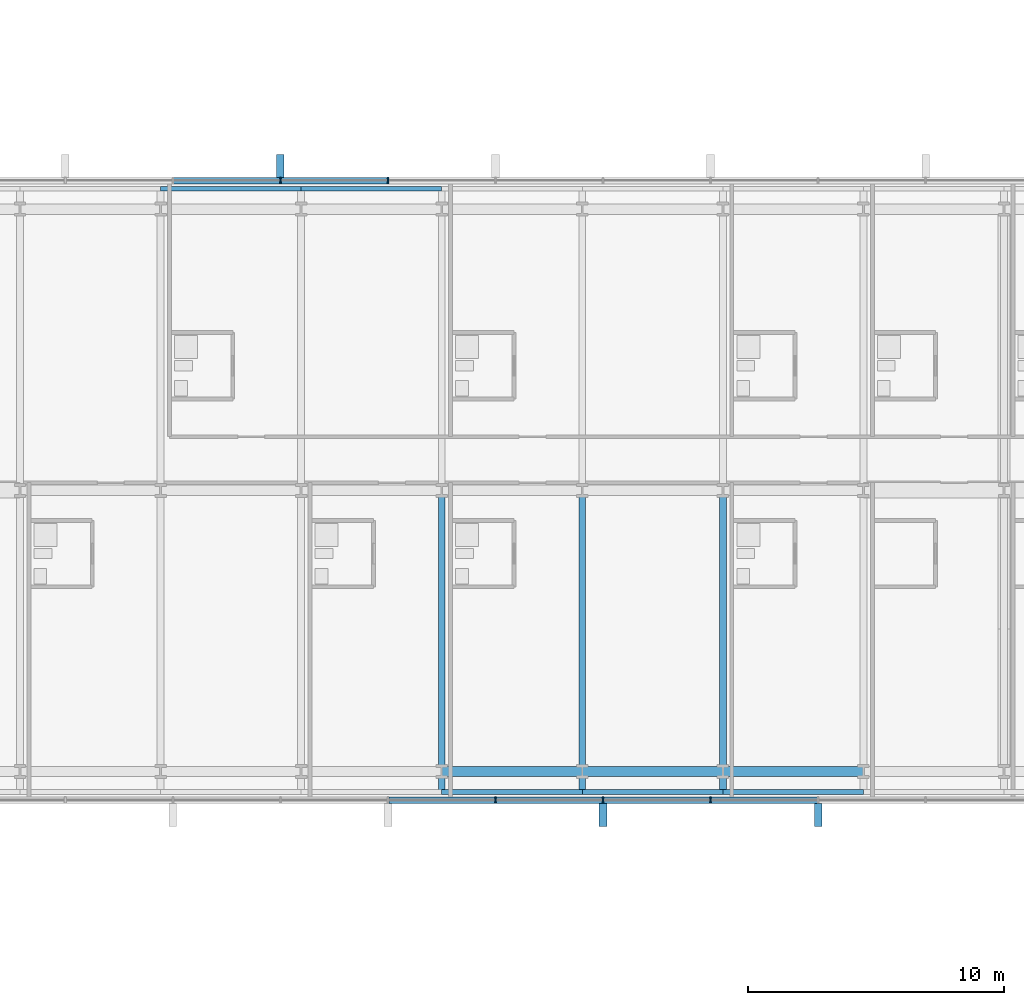
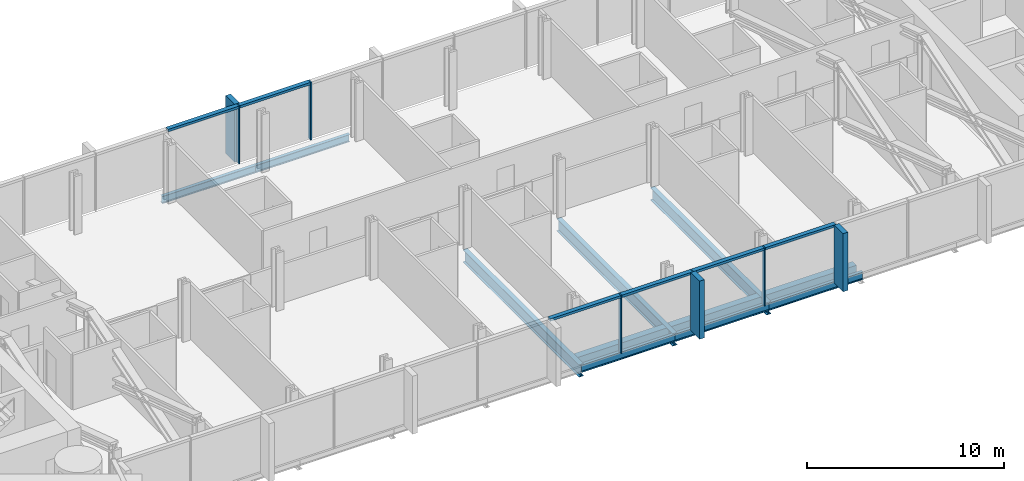
# One storey, part 7 of 24: 14 members, 11 beams, 2 elements without a shape of their own.
"""IFC4 building model written with IfcOpenShell, lengths in metres."""

from ifc_helpers import new_model, si_unit, direction, frame, origin, origin_2d, place, context, subcontext, project, spatial, rectangle, hollow_rectangle, i_section, extrude, material, material_profile, profile_set, type_object, element, aggregate, save


model = new_model("IFC4")

# Units and contexts
model_context = context("Model", 3, precision=1e-05, world=origin(), true_north=direction((0.0, 1.0)))
body_context = subcontext(model_context, "Body", "Model", "MODEL_VIEW")
ifc_project = project(units=[si_unit("LENGTHUNIT", "METRE"), si_unit("AREAUNIT", "SQUARE_METRE"), si_unit("VOLUMEUNIT", "CUBIC_METRE"), si_unit("PLANEANGLEUNIT", "RADIAN"), si_unit("MASSUNIT", "GRAM", prefix="KILO")], contexts=[model_context])

# Site, building, storey
site_placement = place(None, origin())
site = spatial("IfcSite", under=ifc_project, at=site_placement, CompositionType="ELEMENT")
building_placement = place(site_placement, origin())
building = spatial("IfcBuilding", under=site, at=building_placement, Name="Lancet Gate Hotel", CompositionType="ELEMENT")
storey_placement = place(building_placement, frame((0.0, 0.0, 244.10009765625)))
storey = spatial("IfcBuildingStorey", under=building, at=storey_placement, Name="L65", CompositionType="ELEMENT", Elevation=244.10009765625)

# Curtain wall, members
ifc_material_1 = material(Name="Aluminium curtain wall", Category="aluminium")
curtain_wall_type = type_object("IfcCurtainWallType", Name="Bridge block curtain wall", PredefinedType="USERDEFINED", material=ifc_material_1)
curtain_wall_1_placement = place(storey_placement, origin())
curtain_wall_1 = element("IfcCurtainWall", 1, at=curtain_wall_1_placement, inside=storey, type_object=curtain_wall_type, Name="Bridge block L65 curtain wall S", ObjectType="UNITISED CURTAIN WALL", PredefinedType="USERDEFINED")
ifc_material_2 = material(Name="Aluminium mullion", Category="aluminium")
ifc_material_profile_1 = material_profile(ifc_material_2, rectangle(XDim=0.06494140625, YDim=0.25, at=origin_2d()), Name="MULLION 65x250")
ifc_profile_set_1 = profile_set([ifc_material_profile_1], Name="Aluminium mullion")
member_type_1 = type_object("IfcMemberType", Name="Aluminium mullion 65x250", PredefinedType="MULLION", material=ifc_profile_set_1)
member_1_placement = place(storey_placement, frame((2.103759765625, -12.1201171875, 0.0), z_axis=(0.0, 0.0, 1.0), x_axis=(1.0, 0.0, 0.0)))
member_1 = element("IfcMember", 2, at=member_1_placement, type_object=member_type_1, Name="Bridge block L65 curtain wall S mullion 8", PredefinedType="MULLION", context=body_context, shape_type="SweptSolid", body=[
    extrude(rectangle(XDim=0.06494140625, YDim=0.25, at=origin_2d()), origin(), (0.0, 0.0, 1.0), 3.599853515625),
])
member_2_placement = place(storey_placement, frame((6.3115234375, -12.1201171875, 0.0), z_axis=(0.0, 0.0, 1.0), x_axis=(1.0, 0.0, 0.0)))
member_2 = element("IfcMember", 3, at=member_2_placement, type_object=member_type_1, Name="Bridge block L65 curtain wall S mullion 9", PredefinedType="MULLION", context=body_context, shape_type="SweptSolid", body=[
    extrude(rectangle(XDim=0.06494140625, YDim=0.25, at=origin_2d()), origin(), (0.0, 0.0, 1.0), 3.599853515625),
])
member_3_placement = place(storey_placement, frame((10.519287109375, -12.1201171875, 0.0), z_axis=(0.0, 0.0, 1.0), x_axis=(1.0, 0.0, 0.0)))
member_3 = element("IfcMember", 4, at=member_3_placement, type_object=member_type_1, Name="Bridge block L65 curtain wall S mullion 10", PredefinedType="MULLION", context=body_context, shape_type="SweptSolid", body=[
    extrude(rectangle(XDim=0.06494140625, YDim=0.25, at=origin_2d()), origin(), (0.0, 0.0, 1.0), 3.599853515625),
])

curtain_wall_2_placement = place(storey_placement, origin())
curtain_wall_2 = element("IfcCurtainWall", 5, at=curtain_wall_2_placement, inside=storey, type_object=curtain_wall_type, Name="Bridge block L65 curtain wall N", ObjectType="UNITISED CURTAIN WALL", PredefinedType="USERDEFINED")
member_4_placement = place(storey_placement, frame((-2.103759765625, 12.1201171875, 0.0), z_axis=(0.0, 0.0, 1.0), x_axis=(-1.0, 0.0, 0.0)))
member_4 = element("IfcMember", 6, at=member_4_placement, type_object=member_type_1, Name="Bridge block L65 curtain wall N mullion 8", PredefinedType="MULLION", context=body_context, shape_type="SweptSolid", body=[
    extrude(rectangle(XDim=0.06494140625, YDim=0.25, at=origin_2d()), origin(), (0.0, 0.0, 1.0), 3.599853515625),
])
member_5_placement = place(storey_placement, frame((-6.3115234375, 12.1201171875, 0.0), z_axis=(0.0, 0.0, 1.0), x_axis=(-1.0, 0.0, 0.0)))
member_5 = element("IfcMember", 7, at=member_5_placement, type_object=member_type_1, Name="Bridge block L65 curtain wall N mullion 9", PredefinedType="MULLION", context=body_context, shape_type="SweptSolid", body=[
    extrude(rectangle(XDim=0.06494140625, YDim=0.25, at=origin_2d()), origin(), (0.0, 0.0, 1.0), 3.599853515625),
])

# Member
ifc_material_3 = material(Name="Aluminium transom", Category="aluminium")
ifc_material_profile_2 = material_profile(ifc_material_3, rectangle(XDim=0.25, YDim=0.14990234375, at=origin_2d()), Name="TRANSOM 250x150")
ifc_profile_set_2 = profile_set([ifc_material_profile_2], Name="Aluminium transom")
member_type_2 = type_object("IfcMemberType", Name="Aluminium transom 250x150", PredefinedType="USERDEFINED", material=ifc_profile_set_2)
member_6_placement = place(storey_placement, frame((-2.0712890625, -12.1201171875, 3.52490234375), z_axis=(1.0, 0.0, 0.0), x_axis=(0.0, 1.0, 0.0)))
member_6 = element("IfcMember", 8, at=member_6_placement, type_object=member_type_2, Name="Bridge block L65 curtain wall S transom 7", ObjectType="TRANSOM", PredefinedType="USERDEFINED", context=body_context, shape_type="SweptSolid", body=[
    extrude(rectangle(XDim=0.25, YDim=0.14990234375, at=origin_2d()), origin(), (0.0, 0.0, 1.0), 4.142578125),
])

member_7_placement = place(storey_placement, frame((2.13623046875, -12.1201171875, 3.52490234375), z_axis=(1.0, 0.0, 0.0), x_axis=(0.0, 1.0, 0.0)))
member_7 = element("IfcMember", 9, at=member_7_placement, type_object=member_type_2, Name="Bridge block L65 curtain wall S transom 8", ObjectType="TRANSOM", PredefinedType="USERDEFINED", context=body_context, shape_type="SweptSolid", body=[
    extrude(rectangle(XDim=0.25, YDim=0.14990234375, at=origin_2d()), origin(), (0.0, 0.0, 1.0), 4.142822265625),
])

member_8_placement = place(storey_placement, frame((6.343994140625, -12.1201171875, 3.52490234375), z_axis=(1.0, 0.0, 0.0), x_axis=(0.0, 1.0, 0.0)))
member_8 = element("IfcMember", 10, at=member_8_placement, type_object=member_type_2, Name="Bridge block L65 curtain wall S transom 9", ObjectType="TRANSOM", PredefinedType="USERDEFINED", context=body_context, shape_type="SweptSolid", body=[
    extrude(rectangle(XDim=0.25, YDim=0.14990234375, at=origin_2d()), origin(), (0.0, 0.0, 1.0), 4.142822265625),
])

member_9_placement = place(storey_placement, frame((10.5517578125, -12.1201171875, 3.52490234375), z_axis=(1.0, 0.0, 0.0), x_axis=(0.0, 1.0, 0.0)))
member_9 = element("IfcMember", 11, at=member_9_placement, type_object=member_type_2, Name="Bridge block L65 curtain wall S transom 10", ObjectType="TRANSOM", PredefinedType="USERDEFINED", context=body_context, shape_type="SweptSolid", body=[
    extrude(rectangle(XDim=0.25, YDim=0.14990234375, at=origin_2d()), origin(), (0.0, 0.0, 1.0), 4.142578125),
])

member_10_placement = place(storey_placement, frame((-2.13623046875, 12.1201171875, 3.52490234375), z_axis=(-1.0, 0.0, 0.0), x_axis=(0.0, -1.0, 0.0)))
member_10 = element("IfcMember", 12, at=member_10_placement, type_object=member_type_2, Name="Bridge block L65 curtain wall N transom 8", ObjectType="TRANSOM", PredefinedType="USERDEFINED", context=body_context, shape_type="SweptSolid", body=[
    extrude(rectangle(XDim=0.25, YDim=0.14990234375, at=origin_2d()), origin(), (0.0, 0.0, 1.0), 4.142822265625),
])

member_11_placement = place(storey_placement, frame((-6.343994140625, 12.1201171875, 3.52490234375), z_axis=(-1.0, 0.0, 0.0), x_axis=(0.0, -1.0, 0.0)))
member_11 = element("IfcMember", 13, at=member_11_placement, type_object=member_type_2, Name="Bridge block L65 curtain wall N transom 9", ObjectType="TRANSOM", PredefinedType="USERDEFINED", context=body_context, shape_type="SweptSolid", body=[
    extrude(rectangle(XDim=0.25, YDim=0.14990234375, at=origin_2d()), origin(), (0.0, 0.0, 1.0), 4.142822265625),
])

# Beams
ifc_material_4 = material(Name="Steel S355", Category="steel")
ifc_material_profile_3 = material_profile(ifc_material_4, i_section(OverallWidth=0.19140625, OverallDepth=0.4599609375, WebThickness=0.010009765625, FlangeThickness=0.01611328125, FilletRadius=0.01025390625, at=origin_2d()), Name="UKB 457x191x82")
ifc_profile_set_3 = profile_set([ifc_material_profile_3], Name="Steel S355")
beam_type_1 = type_object("IfcBeamType", Name="Block edge beam UKB 457x191x82", PredefinedType="SPANDREL", material=ifc_profile_set_3)
for number, where, z_axis, x_axis, name in (
    (14, (-11.0, 11.800048828125, -0.43017578125), (1.0, 0.0, 0.0), (0.0, 1.0, 0.0), "Block edge beam N 3-4 L65"),
    (15, (-5.5, 11.800048828125, -0.43017578125), (1.0, 0.0, 0.0), (0.0, 1.0, 0.0), "Block edge beam N 4-5 L65"),
    (16, (0.0, -11.800048828125, -0.43017578125), (1.0, 0.0, 0.0), (0.0, 1.0, 0.0), "Block edge beam S 5-6 L65"),
    (17, (5.5, -11.800048828125, -0.43017578125), (1.0, 0.0, 0.0), (0.0, 1.0, 0.0), "Block edge beam S 6-7 L65"),
    (18, (11.0, -11.800048828125, -0.43017578125), (1.0, 0.0, 0.0), (0.0, 1.0, 0.0), "Block edge beam S 7-8 L65"),
):
    element("IfcBeam", number, at=place(storey_placement, frame(where, z_axis=z_axis, x_axis=x_axis)), inside=storey, type_object=beam_type_1, Name=name, PredefinedType="SPANDREL", context=body_context, shape_type="SweptSolid", body=[
        extrude(i_section(OverallWidth=0.19140625, OverallDepth=0.4599609375, WebThickness=0.010009765625, FlangeThickness=0.01611328125, FilletRadius=0.01025390625, at=origin_2d()), origin(), (0.0, 0.0, 1.0), 5.5),
    ])
ifc_material_5 = material(Name="Steel S355", Category="steel")
ifc_material_profile_4 = material_profile(ifc_material_5, hollow_rectangle(XDim=0.39990234375, YDim=0.89990234375, WallThickness=0.0400390625, at=origin_2d()), Name="BOX 900x400x40")
ifc_profile_set_4 = profile_set([ifc_material_profile_4], Name="Steel S355")
beam_type_2 = type_object("IfcBeamType", Name="Block primary beam BOX 900x400x40", PredefinedType="BEAM", material=ifc_profile_set_4)
for number, where, z_axis, x_axis, name in (
    (19, (0.0, -11.0, -0.650146484375), (1.0, 0.0, 0.0), (0.0, 1.0, 0.0), "Block primary beam S 6 L65"),
    (20, (5.5, -11.0, -0.650146484375), (1.0, 0.0, 0.0), (0.0, 1.0, 0.0), "Block primary beam S 7 L65"),
    (21, (11.0, -11.0, -0.650146484375), (1.0, 0.0, 0.0), (0.0, 1.0, 0.0), "Block primary beam S 8 L65"),
):
    element("IfcBeam", number, at=place(storey_placement, frame(where, z_axis=z_axis, x_axis=x_axis)), inside=storey, type_object=beam_type_2, Name=name, PredefinedType="BEAM", context=body_context, shape_type="SweptSolid", body=[
        extrude(hollow_rectangle(XDim=0.39990234375, YDim=0.89990234375, WallThickness=0.0400390625, at=origin_2d()), origin(), (0.0, 0.0, 1.0), 5.5),
    ])
ifc_material_6 = material(Name="Steel S355", Category="steel")
ifc_material_profile_5 = material_profile(ifc_material_6, i_section(OverallWidth=0.26806640625, OverallDepth=0.769775390625, WebThickness=0.015625, FlangeThickness=0.025390625, FilletRadius=0.0166015625, at=origin_2d()), Name="UKB 762x267x197")
ifc_profile_set_5 = profile_set([ifc_material_profile_5], Name="Steel S355")
beam_type_3 = type_object("IfcBeamType", Name="Block secondary beam UKB 762x267x197", PredefinedType="JOIST", material=ifc_profile_set_5)
for number, where, z_axis, x_axis, name in (
    (22, (0.0, -11.800048828125, -0.5849609375), (0.0, 1.0, 0.0), (-1.0, 0.0, 0.0), "Block beam x5 S L65"),
    (23, (5.5, -11.800048828125, -0.5849609375), (0.0, 1.0, 0.0), (-1.0, 0.0, 0.0), "Block beam x6 S L65"),
    (24, (11.0, -11.800048828125, -0.5849609375), (0.0, 1.0, 0.0), (-1.0, 0.0, 0.0), "Block beam x7 S L65"),
):
    element("IfcBeam", number, at=place(storey_placement, frame(where, z_axis=z_axis, x_axis=x_axis)), inside=storey, type_object=beam_type_3, Name=name, PredefinedType="JOIST", context=body_context, shape_type="SweptSolid", body=[
        extrude(i_section(OverallWidth=0.26806640625, OverallDepth=0.769775390625, WebThickness=0.015625, FlangeThickness=0.025390625, FilletRadius=0.0166015625, at=origin_2d()), origin(), (0.0, 0.0, 1.0), 11.800048828125),
    ])

# Member
ifc_material_7 = material(Name="Precast concrete C50/60", Category="concrete")
ifc_material_profile_6 = material_profile(ifc_material_7, rectangle(XDim=0.300048828125, YDim=0.89990234375, at=origin_2d()), Name="FIN 300x900")
ifc_profile_set_6 = profile_set([ifc_material_profile_6], Name="Precast concrete C50/60")
member_type_3 = type_object("IfcMemberType", Name="Exposed concrete fin 300x900", PredefinedType="USERDEFINED", material=ifc_profile_set_6)
member_12_placement = place(storey_placement, frame((6.3115234375, -12.695068359375, 0.0), z_axis=(0.0, 0.0, 1.0), x_axis=(1.0, 0.0, 0.0)))
member_12 = element("IfcMember", 25, at=member_12_placement, type_object=member_type_3, Name="Bridge block L65 curtain wall S fin 9", ObjectType="FIN", PredefinedType="USERDEFINED", context=body_context, shape_type="SweptSolid", body=[
    extrude(rectangle(XDim=0.300048828125, YDim=0.89990234375, at=origin_2d()), origin(), (0.0, 0.0, 1.0), 3.599853515625),
])

member_13_placement = place(storey_placement, frame((14.726806640625, -12.695068359375, 0.0), z_axis=(0.0, 0.0, 1.0), x_axis=(1.0, 0.0, 0.0)))
member_13 = element("IfcMember", 26, at=member_13_placement, type_object=member_type_3, Name="Bridge block L65 curtain wall S fin 11", ObjectType="FIN", PredefinedType="USERDEFINED", context=body_context, shape_type="SweptSolid", body=[
    extrude(rectangle(XDim=0.300048828125, YDim=0.89990234375, at=origin_2d()), origin(), (0.0, 0.0, 1.0), 3.599853515625),
])

aggregate(curtain_wall_1, [member_1, member_2, member_12, member_3, member_13, member_6, member_7, member_8, member_9])

member_14_placement = place(storey_placement, frame((-6.3115234375, 12.695068359375, 0.0), z_axis=(0.0, 0.0, 1.0), x_axis=(-1.0, 0.0, 0.0)))
member_14 = element("IfcMember", 27, at=member_14_placement, type_object=member_type_3, Name="Bridge block L65 curtain wall N fin 9", ObjectType="FIN", PredefinedType="USERDEFINED", context=body_context, shape_type="SweptSolid", body=[
    extrude(rectangle(XDim=0.300048828125, YDim=0.89990234375, at=origin_2d()), origin(), (0.0, 0.0, 1.0), 3.599853515625),
])

aggregate(curtain_wall_2, [member_4, member_5, member_14, member_10, member_11])

save(model, "model.ifc")
